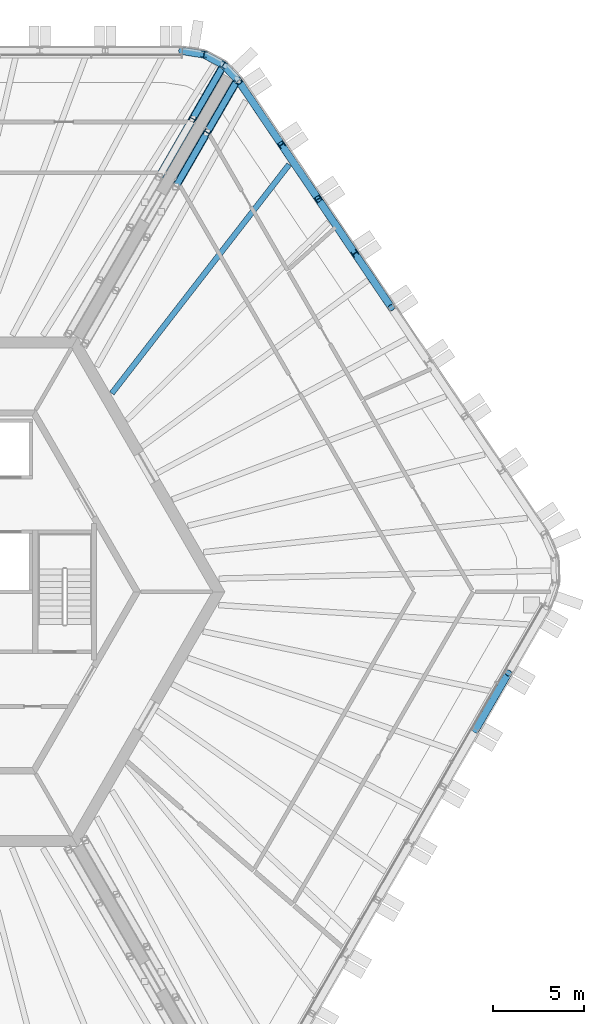
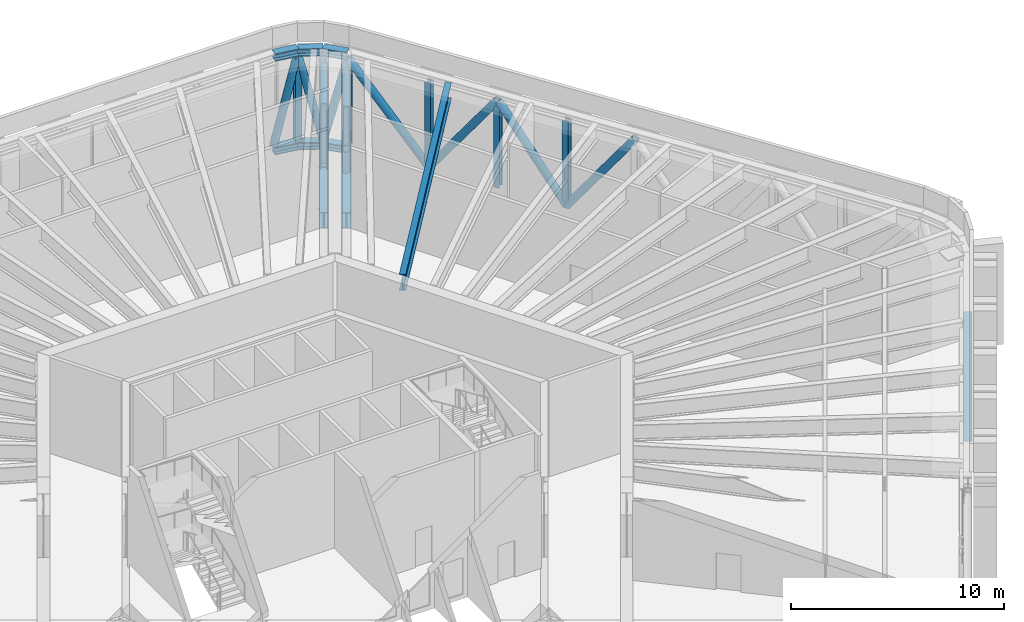
# One storey, part 10 of 27: 27 members, 1 beam.
"""IFC4 building model written with IfcOpenShell, lengths in metres."""

from ifc_helpers import new_model, si_unit, direction, frame, origin, origin_2d, place, context, subcontext, project, spatial, hollow_circle, i_section, extrude, material, material_profile, profile_set, type_object, element, save


model = new_model("IFC4")

# Units and contexts
model_context = context("Model", 3, precision=1e-05, world=origin(), true_north=direction((0.0, 1.0)))
body_context = subcontext(model_context, "Body", "Model", "MODEL_VIEW")
ifc_project = project(units=[si_unit("LENGTHUNIT", "METRE"), si_unit("AREAUNIT", "SQUARE_METRE"), si_unit("VOLUMEUNIT", "CUBIC_METRE"), si_unit("PLANEANGLEUNIT", "RADIAN"), si_unit("MASSUNIT", "GRAM", prefix="KILO")], contexts=[model_context])

# Site, building, storey
site_placement = place(None, origin())
site = spatial("IfcSite", under=ifc_project, at=site_placement, CompositionType="ELEMENT")
building_placement = place(site_placement, origin())
building = spatial("IfcBuilding", under=site, at=building_placement, Name="Tarnside Tower", CompositionType="ELEMENT")
storey_placement = place(building_placement, frame((0.0, 0.0, 146.699951171875)))
storey = spatial("IfcBuildingStorey", under=building, at=storey_placement, Name="L34", CompositionType="ELEMENT", Elevation=146.699951171875)

# Beam
ifc_material_1 = material(Name="Steel S355", Category="steel")
ifc_material_profile_1 = material_profile(ifc_material_1, i_section(OverallWidth=0.3076171875, OverallDepth=0.926513671875, WebThickness=0.01953125, FlangeThickness=0.031982421875, FilletRadius=0.01904296875, at=origin_2d()), Name="UB 914x305x289")
ifc_profile_set_1 = profile_set([ifc_material_profile_1], Name="Steel S355")
beam_type = type_object("IfcBeamType", Name="Floor beam UB 914x305x289", PredefinedType="BEAM", material=ifc_profile_set_1)
beam_placement = place(storey_placement, frame((19.697509765625, 23.48388671875, 5.036865234375), z_axis=(-0.612409628638, -0.790540604113, 0.0), x_axis=(0.790540604113, -0.612409628638, 0.0)))
element("IfcBeam", 1, at=beam_placement, inside=storey, type_object=beam_type, Name="Floor beam F6.07", PredefinedType="BEAM", context=body_context, shape_type="SweptSolid", body=[
    extrude(i_section(OverallWidth=0.3076171875, OverallDepth=0.926513671875, WebThickness=0.01953125, FlangeThickness=0.031982421875, FilletRadius=0.01904296875, at=origin_2d()), origin(), (0.0, 0.0, 1.0), 15.90966796875),
])

# Members
ifc_material_2 = material(Name="Steel S460", Category="steel")
ifc_material_profile_2 = material_profile(ifc_material_2, i_section(OverallWidth=0.42041015625, OverallDepth=0.9208984375, WebThickness=0.021484375, FlangeThickness=0.03662109375, FilletRadius=0.024169921875, at=origin_2d()), Name="UB 914x419x388")
ifc_profile_set_2 = profile_set([ifc_material_profile_2], Name="Steel S460")
member_type_1 = type_object("IfcMemberType", Name="Outrigger chord UB 914x419x388", PredefinedType="CHORD", material=ifc_profile_set_2)
member_1_placement = place(storey_placement, frame((12.551513671875, 22.80029296875, 0.46044921875), z_axis=(0.499991511581, 0.86603030452, 0.0), x_axis=(-0.86603030452, 0.499991511581, 0.0)))
element("IfcMember", 2, at=member_1_placement, inside=storey, type_object=member_type_1, Name="Outrigger truss bottom chord OR1A L34", PredefinedType="CHORD", context=body_context, shape_type="SweptSolid", body=[
    extrude(i_section(OverallWidth=0.42041015625, OverallDepth=0.9208984375, WebThickness=0.021484375, FlangeThickness=0.03662109375, FilletRadius=0.024169921875, at=origin_2d()), origin(), (0.0, 0.0, 1.0), 7.09521484375),
])
member_2_placement = place(storey_placement, frame((13.469970703125, 22.27001953125, 0.46044921875), z_axis=(0.4999937184, 0.866029030437, 0.0), x_axis=(-0.866029030437, 0.4999937184, 0.0)))
element("IfcMember", 3, at=member_2_placement, inside=storey, type_object=member_type_1, Name="Outrigger truss bottom chord OR1B L34", PredefinedType="CHORD", context=body_context, shape_type="SweptSolid", body=[
    extrude(i_section(OverallWidth=0.42041015625, OverallDepth=0.9208984375, WebThickness=0.021484375, FlangeThickness=0.03662109375, FilletRadius=0.024169921875, at=origin_2d()), origin(), (0.0, 0.0, 1.0), 6.77783203125),
])
ifc_material_profile_3 = material_profile(ifc_material_1, hollow_circle(Radius=0.177734375, WallThickness=0.01611328125, at=origin_2d()), Name="CHS 355.6x16")
ifc_profile_set_3 = profile_set([ifc_material_profile_3], Name="Steel S355")
member_type_2 = type_object("IfcMemberType", Name="Outrigger diagonal CHS 355.6x16", PredefinedType="BRACE", material=ifc_profile_set_3)
member_3_placement = place(storey_placement, frame((14.396484375, 25.99609375, 0.921142578125), z_axis=(0.340690321462, 0.590077200019, 0.731941939555), x_axis=(-0.866019626224, 0.500010006895, 0.0)))
element("IfcMember", 4, at=member_3_placement, inside=storey, type_object=member_type_2, Name="Outrigger truss diagonal OR1A 6", PredefinedType="BRACE", context=body_context, shape_type="SweptSolid", body=[
    extrude(hollow_circle(Radius=0.177734375, WallThickness=0.01611328125, at=origin_2d()), origin(), (0.0, 0.0, 1.0), 4.99755859375),
])
member_4_placement = place(storey_placement, frame((13.469970703125, 22.27001953125, 4.5791015625), z_axis=(0.342320078468, 0.592942935405, -0.728859135383), x_axis=(-0.866035323465, 0.499982818215, 0.0)))
element("IfcMember", 5, at=member_4_placement, inside=storey, type_object=member_type_2, Name="Outrigger truss diagonal OR1B 5", PredefinedType="BRACE", context=body_context, shape_type="SweptSolid", body=[
    extrude(hollow_circle(Radius=0.177734375, WallThickness=0.01611328125, at=origin_2d()), origin(), (0.0, 0.0, 1.0), 5.018798828125),
])
member_5_placement = place(storey_placement, frame((15.18798828125, 25.245849609375, 0.921142578125), z_axis=(0.337241918553, 0.58411246384, 0.73829568464), x_axis=(-0.866022559518, 0.500004926382, 0.0)))
element("IfcMember", 6, at=member_5_placement, inside=storey, type_object=member_type_2, Name="Outrigger truss diagonal OR1B 6", PredefinedType="BRACE", context=body_context, shape_type="SweptSolid", body=[
    extrude(hollow_circle(Radius=0.177734375, WallThickness=0.01611328125, at=origin_2d()), origin(), (0.0, 0.0, 1.0), 4.95458984375),
])
ifc_material_profile_4 = material_profile(ifc_material_1, i_section(OverallWidth=0.314453125, OverallDepth=0.33984375, WebThickness=0.01904296875, FlangeThickness=0.031494140625, FilletRadius=0.01513671875, at=origin_2d()), Name="UC 305x305x198")
ifc_profile_set_4 = profile_set([ifc_material_profile_4], Name="Steel S355")
member_type_3 = type_object("IfcMemberType", Name="Outrigger post UC 305x305x198", PredefinedType="POST", material=ifc_profile_set_4)
for number, where, z_axis, x_axis, name in (
    (7, (14.396484375, 25.99609375, 0.921142578125), (0.0, 0.0, 1.0), (0.5, 0.866025403784, 0.0), "Outrigger truss post OR1A 5"),
    (8, (15.18798828125, 25.245849609375, 0.921142578125), (0.0, 0.0, 1.0), (0.5, 0.866025403784, 0.0), "Outrigger truss post OR1B 5"),
):
    element("IfcMember", number, at=place(storey_placement, frame(where, z_axis=z_axis, x_axis=x_axis)), inside=storey, type_object=member_type_3, Name=name, PredefinedType="POST", context=body_context, shape_type="SweptSolid", body=[
        extrude(i_section(OverallWidth=0.314453125, OverallDepth=0.33984375, WebThickness=0.01904296875, FlangeThickness=0.031494140625, FilletRadius=0.01513671875, at=origin_2d()), origin(), (0.0, 0.0, 1.0), 3.657958984375),
    ])
ifc_material_profile_5 = material_profile(ifc_material_1, i_section(OverallWidth=0.406982421875, OverallDepth=0.4189453125, WebThickness=0.030517578125, FlangeThickness=0.04931640625, FilletRadius=0.01513671875, at=origin_2d()), Name="UC 356x406x393")
ifc_profile_set_5 = profile_set([ifc_material_profile_5], Name="Steel S355")
member_type_4 = type_object("IfcMemberType", Name="Truss chord UC 356x406x393", PredefinedType="CHORD", material=ifc_profile_set_5)
for number, where, z_axis, x_axis, name in (
    (9, (16.91259765625, 28.0830078125, -0.09033203125), (-0.686196220404, 0.727416488061, 0.0), (-0.727416488061, -0.686196220404, 0.0), "Belt truss bottom chord L34 corner6.1"),
    (10, (16.08349609375, 28.9619140625, -0.09033203125), (-0.882995347911, 0.469381737574, 0.0), (-0.469381737574, -0.882995347911, 0.0), "Belt truss bottom chord L34 corner6.2"),
    (11, (15.0166015625, 29.529052734375, -0.09033203125), (-0.986746625868, 0.162268593195, 0.0), (-0.162268593195, -0.986746625868, 0.0), "Belt truss bottom chord L34 corner6.3"),
):
    element("IfcMember", number, at=place(storey_placement, frame(where, z_axis=z_axis, x_axis=x_axis)), inside=storey, type_object=member_type_4, Name=name, PredefinedType="CHORD", context=body_context, shape_type="SweptSolid", body=[
        extrude(i_section(OverallWidth=0.406982421875, OverallDepth=0.4189453125, WebThickness=0.030517578125, FlangeThickness=0.04931640625, FilletRadius=0.01513671875, at=origin_2d()), origin(), (0.0, 0.0, 1.0), 1.208251953125),
    ])
ifc_material_profile_6 = material_profile(ifc_material_2, i_section(OverallWidth=0.412109375, OverallDepth=0.4365234375, WebThickness=0.035888671875, FlangeThickness=0.05810546875, FilletRadius=0.01513671875, at=origin_2d()), Name="UC 356x406x467")
ifc_profile_set_6 = profile_set([ifc_material_profile_6], Name="Steel S460")
member_type_5 = type_object("IfcMemberType", Name="Truss chord UC 356x406x467", PredefinedType="CHORD", material=ifc_profile_set_6)
for number, where, z_axis, x_axis, name in (
    (12, (16.91259765625, 28.0830078125, 5.28173828125), (-0.686196220404, 0.727416488061, 0.0), (-0.727416488061, -0.686196220404, 0.0), "Belt truss top chord L34 corner6.1"),
    (13, (16.08349609375, 28.9619140625, 5.28173828125), (-0.882995347911, 0.469381737574, 0.0), (-0.469381737574, -0.882995347911, 0.0), "Belt truss top chord L34 corner6.2"),
    (14, (15.0166015625, 29.529052734375, 5.28173828125), (-0.986746625868, 0.162268593195, 0.0), (-0.162268593195, -0.986746625868, 0.0), "Belt truss top chord L34 corner6.3"),
):
    element("IfcMember", number, at=place(storey_placement, frame(where, z_axis=z_axis, x_axis=x_axis)), inside=storey, type_object=member_type_5, Name=name, PredefinedType="CHORD", context=body_context, shape_type="SweptSolid", body=[
        extrude(i_section(OverallWidth=0.412109375, OverallDepth=0.4365234375, WebThickness=0.035888671875, FlangeThickness=0.05810546875, FilletRadius=0.01513671875, at=origin_2d()), origin(), (0.0, 0.0, 1.0), 1.208251953125),
    ])
ifc_material_profile_7 = material_profile(ifc_material_1, hollow_circle(Radius=0.203125, WallThickness=0.01611328125, at=origin_2d()), Name="CHS 406.4x16")
ifc_profile_set_7 = profile_set([ifc_material_profile_7], Name="Steel S355")
member_type_6 = type_object("IfcMemberType", Name="Truss diagonal CHS 406.4x16", PredefinedType="BRACE", material=ifc_profile_set_7)
for number, where, z_axis, x_axis, name in (
    (15, (29.947998046875, -7.578369140625, 0.119140625), (0.294313741712, 0.509749963605, 0.808414742594), (-0.866018442252, 0.500012057535, 0.0), "Belt truss diagonal L34 51"),
    (16, (25.3203125, 15.617919921875, 5.0634765625), (-0.329122925964, 0.487996090953, -0.808416918935), (-0.829064817611, -0.559152508892, 0.0), "Belt truss diagonal L34 60"),
    (17, (23.307373046875, 18.6025390625, 0.119140625), (-0.329164930851, 0.487959266884, 0.808422044578), (-0.829012171582, -0.559230560117, 0.0), "Belt truss diagonal L34 61"),
):
    element("IfcMember", number, at=place(storey_placement, frame(where, z_axis=z_axis, x_axis=x_axis)), inside=storey, type_object=member_type_6, Name=name, PredefinedType="BRACE", context=body_context, shape_type="SweptSolid", body=[
        extrude(hollow_circle(Radius=0.203125, WallThickness=0.01611328125, at=origin_2d()), origin(), (0.0, 0.0, 1.0), 6.115966796875),
    ])
member_6_placement = place(storey_placement, frame((21.294189453125, 21.5869140625, 5.0634765625), z_axis=(-0.329158519162, 0.487989679452, -0.808406297608), x_axis=(-0.829033379241, -0.559199120264, 0.0)))
element("IfcMember", 18, at=member_6_placement, inside=storey, type_object=member_type_6, Name="Belt truss diagonal L34 62", PredefinedType="BRACE", context=body_context, shape_type="SweptSolid", body=[
    extrude(hollow_circle(Radius=0.203125, WallThickness=0.01611328125, at=origin_2d()), origin(), (0.0, 0.0, 1.0), 6.1162109375),
])
member_7_placement = place(storey_placement, frame((19.281005859375, 24.571533203125, 0.119140625), z_axis=(-0.363784307068, 0.539357766061, 0.759443334371), x_axis=(-0.829049757474, -0.55917483816, 0.0)))
element("IfcMember", 19, at=member_7_placement, inside=storey, type_object=member_type_6, Name="Belt truss diagonal L34 63", PredefinedType="BRACE", context=body_context, shape_type="SweptSolid", body=[
    extrude(hollow_circle(Radius=0.203125, WallThickness=0.01611328125, at=origin_2d()), origin(), (0.0, 0.0, 1.0), 6.510498046875),
])
for number, where, z_axis, x_axis, name in (
    (20, (16.91259765625, 28.0830078125, 5.0634765625), (-0.162893844794, 0.172678987415, -0.971415236978), (-0.727416488061, -0.686196220404, 0.0), "Belt truss diagonal L34 64"),
    (21, (16.08349609375, 28.9619140625, 0.119140625), (-0.209613004578, 0.111425860328, 0.97141477545), (-0.469381737574, -0.882995347911, 0.0), "Belt truss diagonal L34 65"),
    (22, (15.0166015625, 29.529052734375, 5.0634765625), (-0.23422102334, 0.0385171988, -0.971420062394), (-0.162268593195, -0.986746625868, 0.0), "Belt truss diagonal L34 66"),
):
    element("IfcMember", number, at=place(storey_placement, frame(where, z_axis=z_axis, x_axis=x_axis)), inside=storey, type_object=member_type_6, Name=name, PredefinedType="BRACE", context=body_context, shape_type="SweptSolid", body=[
        extrude(hollow_circle(Radius=0.203125, WallThickness=0.01611328125, at=origin_2d()), origin(), (0.0, 0.0, 1.0), 5.08984375),
    ])
ifc_material_profile_8 = material_profile(ifc_material_1, i_section(OverallWidth=0.314453125, OverallDepth=0.33984375, WebThickness=0.01904296875, FlangeThickness=0.031494140625, FilletRadius=0.01513671875, at=origin_2d()), Name="UC 305x305x198")
ifc_profile_set_8 = profile_set([ifc_material_profile_8], Name="Steel S355")
member_type_7 = type_object("IfcMemberType", Name="Truss post UC 305x305x198", PredefinedType="POST", material=ifc_profile_set_8)
for number, where, z_axis, x_axis, name in (
    (23, (23.307373046875, 18.6025390625, 0.119140625), (0.0, 0.0, 1.0), (-0.559192903471, 0.829037572555, 0.0), "Belt truss post L34 61"),
    (24, (21.294189453125, 21.5869140625, 0.119140625), (0.0, 0.0, 1.0), (-0.559192903471, 0.829037572555, 0.0), "Belt truss post L34 62"),
    (25, (19.281005859375, 24.571533203125, 0.119140625), (0.0, 0.0, 1.0), (-0.559192903471, 0.829037572555, 0.0), "Belt truss post L34 63"),
    (26, (16.91259765625, 28.0830078125, 0.119140625), (0.0, 0.0, 1.0), (-0.559192903471, 0.829037572555, 0.0), "Belt truss post L34 64"),
    (27, (16.08349609375, 28.9619140625, 0.119140625), (0.0, 0.0, 1.0), (-0.882947592859, 0.469471562786, 0.0), "Belt truss post L34 65"),
    (28, (15.0166015625, 29.529052734375, 0.119140625), (0.0, 0.0, 1.0), (-0.986761532114, 0.1621779231, 0.0), "Belt truss post L34 66"),
):
    element("IfcMember", number, at=place(storey_placement, frame(where, z_axis=z_axis, x_axis=x_axis)), inside=storey, type_object=member_type_7, Name=name, PredefinedType="POST", context=body_context, shape_type="SweptSolid", body=[
        extrude(i_section(OverallWidth=0.314453125, OverallDepth=0.33984375, WebThickness=0.01904296875, FlangeThickness=0.031494140625, FilletRadius=0.01513671875, at=origin_2d()), origin(), (0.0, 0.0, 1.0), 4.9443359375),
    ])

save(model, "model.ifc")
